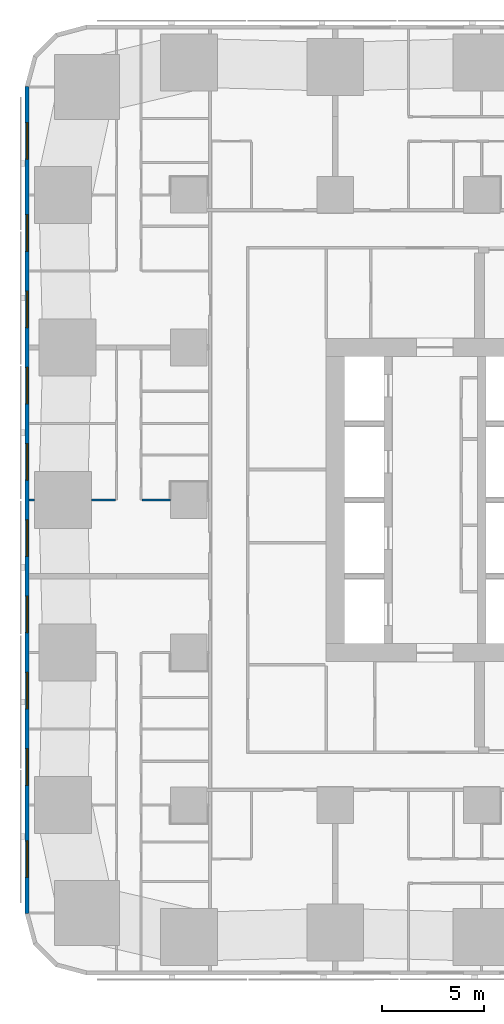
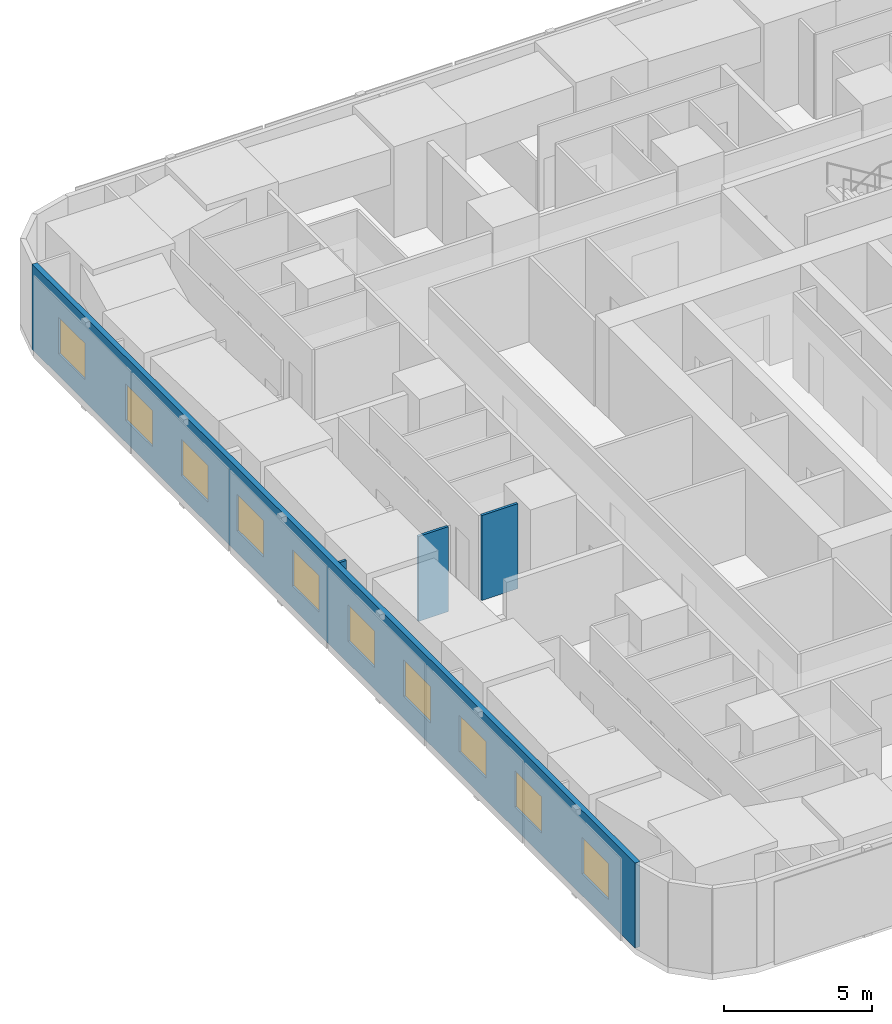
# One storey, part 4 of 18: 10 windows, 4 walls, 10 openings.
"""IFC4 building model written with IfcOpenShell, lengths in metres."""

from ifc_helpers import new_model, si_unit, direction, frame, frame_2d, origin, place, context, subcontext, project, spatial, rectangle, extrude, material, layer, layer_set, type_object, element, fill, save


model = new_model("IFC4")

# Units and contexts
model_context = context("Model", 3, precision=1e-05, world=origin(), true_north=direction((0.0, 1.0)))
body_context = subcontext(model_context, "Body", "Model", "MODEL_VIEW")
ifc_project = project(units=[si_unit("LENGTHUNIT", "METRE"), si_unit("AREAUNIT", "SQUARE_METRE"), si_unit("VOLUMEUNIT", "CUBIC_METRE"), si_unit("PLANEANGLEUNIT", "RADIAN"), si_unit("MASSUNIT", "GRAM", prefix="KILO")], contexts=[model_context])

# Site, building, storey
site_placement = place(None, origin())
site = spatial("IfcSite", under=ifc_project, at=site_placement, CompositionType="ELEMENT")
building_placement = place(site_placement, origin())
building = spatial("IfcBuilding", under=site, at=building_placement, Name="Sheger Commons Tower", CompositionType="ELEMENT")
storey_placement = place(building_placement, frame((0.0, 0.0, 38.75)))
storey = spatial("IfcBuildingStorey", under=building, at=storey_placement, Name="L09", CompositionType="ELEMENT", Elevation=38.75)

# Wall, openings, windows
ifc_material_1 = material(Name="Rendered concrete block masonry, dark grey", Category="masonry")
ifc_layer_1 = layer(ifc_material_1, 0.199951171875)
ifc_layer_set_1 = layer_set([ifc_layer_1], Name="FACADE WALL 200")
wall_type_1 = type_object("IfcWallType", Name="FACADE WALL 200", PredefinedType="SOLIDWALL", material=ifc_layer_set_1)
wall_1_placement = place(storey_placement, frame((-0.75, 42.8369140625, 0.0), z_axis=(0.0, 0.0, 1.0), x_axis=(0.0, -1.0, 0.0)))
wall_1 = element("IfcWall", 1, at=wall_1_placement, inside=storey, type_object=wall_type_1, Name="Facade wall L09", PredefinedType="SOLIDWALL", context=body_context, shape_type="SweptSolid", body=[
    extrude(rectangle(XDim=40.673828125, YDim=0.199951171875, at=frame_2d((20.3369140625, 0.0))), origin(), (0.0, 0.0, 1.0), 3.5),
])
opening_1_placement = place(wall_1_placement, frame((1.780029296875, 0.0, 0.89990234375)))
opening_1 = element("IfcOpeningElement", 2, at=opening_1_placement, cuts=wall_1, Name="Opening W2", PredefinedType="OPENING", context=body_context, shape_type="SweptSolid", body=[
    extrude(rectangle(XDim=1.800048828125, YDim=1.5, at=frame_2d((0.89990234375, 0.75))), frame((0.0, 0.10986328125, 0.0), z_axis=(0.0, -1.0, 0.0), x_axis=(1.0, 0.0, 0.0)), (0.0, 0.0, 1.0), 0.219970703125),
])
opening_2_placement = place(wall_1_placement, frame((6.31201171875, 0.0, 0.89990234375)))
opening_2 = element("IfcOpeningElement", 3, at=opening_2_placement, cuts=wall_1, Name="Opening W2", PredefinedType="OPENING", context=body_context, shape_type="SweptSolid", body=[
    extrude(rectangle(XDim=1.800048828125, YDim=1.5, at=frame_2d((0.89990234375, 0.75))), frame((0.0, 0.10986328125, 0.0), z_axis=(0.0, -1.0, 0.0), x_axis=(1.0, 0.0, 0.0)), (0.0, 0.0, 1.0), 0.219970703125),
])
opening_3_placement = place(wall_1_placement, frame((10.06201171875, 0.0, 0.89990234375)))
opening_3 = element("IfcOpeningElement", 4, at=opening_3_placement, cuts=wall_1, Name="Opening W2", PredefinedType="OPENING", context=body_context, shape_type="SweptSolid", body=[
    extrude(rectangle(XDim=1.800048828125, YDim=1.5, at=frame_2d((0.89990234375, 0.75))), frame((0.0, 0.10986328125, 0.0), z_axis=(0.0, -1.0, 0.0), x_axis=(1.0, 0.0, 0.0)), (0.0, 0.0, 1.0), 0.219970703125),
])
opening_4_placement = place(wall_1_placement, frame((13.81201171875, 0.0, 0.89990234375)))
opening_4 = element("IfcOpeningElement", 5, at=opening_4_placement, cuts=wall_1, Name="Opening W2", PredefinedType="OPENING", context=body_context, shape_type="SweptSolid", body=[
    extrude(rectangle(XDim=1.800048828125, YDim=1.5, at=frame_2d((0.89990234375, 0.75))), frame((0.0, 0.10986328125, 0.0), z_axis=(0.0, -1.0, 0.0), x_axis=(1.0, 0.0, 0.0)), (0.0, 0.0, 1.0), 0.219970703125),
])
opening_5_placement = place(wall_1_placement, frame((17.56201171875, 0.0, 0.89990234375)))
opening_5 = element("IfcOpeningElement", 6, at=opening_5_placement, cuts=wall_1, Name="Opening W2", PredefinedType="OPENING", context=body_context, shape_type="SweptSolid", body=[
    extrude(rectangle(XDim=1.800048828125, YDim=1.5, at=frame_2d((0.89990234375, 0.75))), frame((0.0, 0.10986328125, 0.0), z_axis=(0.0, -1.0, 0.0), x_axis=(1.0, 0.0, 0.0)), (0.0, 0.0, 1.0), 0.219970703125),
])
opening_6_placement = place(wall_1_placement, frame((21.31201171875, 0.0, 0.89990234375)))
opening_6 = element("IfcOpeningElement", 7, at=opening_6_placement, cuts=wall_1, Name="Opening W2", PredefinedType="OPENING", context=body_context, shape_type="SweptSolid", body=[
    extrude(rectangle(XDim=1.800048828125, YDim=1.5, at=frame_2d((0.89990234375, 0.75))), frame((0.0, 0.10986328125, 0.0), z_axis=(0.0, -1.0, 0.0), x_axis=(1.0, 0.0, 0.0)), (0.0, 0.0, 1.0), 0.219970703125),
])
opening_7_placement = place(wall_1_placement, frame((25.06201171875, 0.0, 0.89990234375)))
opening_7 = element("IfcOpeningElement", 8, at=opening_7_placement, cuts=wall_1, Name="Opening W2", PredefinedType="OPENING", context=body_context, shape_type="SweptSolid", body=[
    extrude(rectangle(XDim=1.800048828125, YDim=1.5, at=frame_2d((0.89990234375, 0.75))), frame((0.0, 0.10986328125, 0.0), z_axis=(0.0, -1.0, 0.0), x_axis=(1.0, 0.0, 0.0)), (0.0, 0.0, 1.0), 0.219970703125),
])
opening_8_placement = place(wall_1_placement, frame((28.81201171875, 0.0, 0.89990234375)))
opening_8 = element("IfcOpeningElement", 9, at=opening_8_placement, cuts=wall_1, Name="Opening W2", PredefinedType="OPENING", context=body_context, shape_type="SweptSolid", body=[
    extrude(rectangle(XDim=1.800048828125, YDim=1.5, at=frame_2d((0.89990234375, 0.75))), frame((0.0, 0.10986328125, 0.0), z_axis=(0.0, -1.0, 0.0), x_axis=(1.0, 0.0, 0.0)), (0.0, 0.0, 1.0), 0.219970703125),
])
opening_9_placement = place(wall_1_placement, frame((32.56201171875, 0.0, 0.89990234375)))
opening_9 = element("IfcOpeningElement", 10, at=opening_9_placement, cuts=wall_1, Name="Opening W2", PredefinedType="OPENING", context=body_context, shape_type="SweptSolid", body=[
    extrude(rectangle(XDim=1.800048828125, YDim=1.5, at=frame_2d((0.89990234375, 0.75))), frame((0.0, 0.10986328125, 0.0), z_axis=(0.0, -1.0, 0.0), x_axis=(1.0, 0.0, 0.0)), (0.0, 0.0, 1.0), 0.219970703125),
])
opening_10_placement = place(wall_1_placement, frame((37.093994140625, 0.0, 0.89990234375)))
opening_10 = element("IfcOpeningElement", 11, at=opening_10_placement, cuts=wall_1, Name="Opening W2", PredefinedType="OPENING", context=body_context, shape_type="SweptSolid", body=[
    extrude(rectangle(XDim=1.800048828125, YDim=1.5, at=frame_2d((0.89990234375, 0.75))), frame((0.0, 0.10986328125, 0.0), z_axis=(0.0, -1.0, 0.0), x_axis=(1.0, 0.0, 0.0)), (0.0, 0.0, 1.0), 0.219970703125),
])
ifc_material_2 = material(Name="Black aluminium frame, dark tinted double glazing", Category="aluminium")
window_type = type_object("IfcWindowType", Name="WINDOW W2 1800x1500", PartitioningType="SINGLE_PANEL", PredefinedType="WINDOW", material=ifc_material_2)
window_1_placement = place(opening_1_placement, origin())
window_1 = element("IfcWindow", 12, at=window_1_placement, inside=storey, type_object=window_type, Name="Window W2 1800X1500", OverallHeight=1.5, OverallWidth=1.800048828125, PartitioningType="SINGLE_PANEL", PredefinedType="WINDOW", context=body_context, shape_type="SweptSolid", body=[
    extrude(rectangle(XDim=1.800048828125, YDim=1.5, at=frame_2d((0.89990234375, 0.75))), frame((0.0, 0.030029296875, 0.0), z_axis=(0.0, -1.0, 0.0), x_axis=(1.0, 0.0, 0.0)), (0.0, 0.0, 1.0), 0.06005859375),
])
fill(opening_1, window_1)
window_2_placement = place(opening_2_placement, origin())
window_2 = element("IfcWindow", 13, at=window_2_placement, inside=storey, type_object=window_type, Name="Window W2 1800X1500", OverallHeight=1.5, OverallWidth=1.800048828125, PartitioningType="SINGLE_PANEL", PredefinedType="WINDOW", context=body_context, shape_type="SweptSolid", body=[
    extrude(rectangle(XDim=1.800048828125, YDim=1.5, at=frame_2d((0.89990234375, 0.75))), frame((0.0, 0.030029296875, 0.0), z_axis=(0.0, -1.0, 0.0), x_axis=(1.0, 0.0, 0.0)), (0.0, 0.0, 1.0), 0.06005859375),
])
fill(opening_2, window_2)
window_3_placement = place(opening_3_placement, origin())
window_3 = element("IfcWindow", 14, at=window_3_placement, inside=storey, type_object=window_type, Name="Window W2 1800X1500", OverallHeight=1.5, OverallWidth=1.800048828125, PartitioningType="SINGLE_PANEL", PredefinedType="WINDOW", context=body_context, shape_type="SweptSolid", body=[
    extrude(rectangle(XDim=1.800048828125, YDim=1.5, at=frame_2d((0.89990234375, 0.75))), frame((0.0, 0.030029296875, 0.0), z_axis=(0.0, -1.0, 0.0), x_axis=(1.0, 0.0, 0.0)), (0.0, 0.0, 1.0), 0.06005859375),
])
fill(opening_3, window_3)
window_4_placement = place(opening_4_placement, origin())
window_4 = element("IfcWindow", 15, at=window_4_placement, inside=storey, type_object=window_type, Name="Window W2 1800X1500", OverallHeight=1.5, OverallWidth=1.800048828125, PartitioningType="SINGLE_PANEL", PredefinedType="WINDOW", context=body_context, shape_type="SweptSolid", body=[
    extrude(rectangle(XDim=1.800048828125, YDim=1.5, at=frame_2d((0.89990234375, 0.75))), frame((0.0, 0.030029296875, 0.0), z_axis=(0.0, -1.0, 0.0), x_axis=(1.0, 0.0, 0.0)), (0.0, 0.0, 1.0), 0.06005859375),
])
fill(opening_4, window_4)
window_5_placement = place(opening_5_placement, origin())
window_5 = element("IfcWindow", 16, at=window_5_placement, inside=storey, type_object=window_type, Name="Window W2 1800X1500", OverallHeight=1.5, OverallWidth=1.800048828125, PartitioningType="SINGLE_PANEL", PredefinedType="WINDOW", context=body_context, shape_type="SweptSolid", body=[
    extrude(rectangle(XDim=1.800048828125, YDim=1.5, at=frame_2d((0.89990234375, 0.75))), frame((0.0, 0.030029296875, 0.0), z_axis=(0.0, -1.0, 0.0), x_axis=(1.0, 0.0, 0.0)), (0.0, 0.0, 1.0), 0.06005859375),
])
fill(opening_5, window_5)
window_6_placement = place(opening_6_placement, origin())
window_6 = element("IfcWindow", 17, at=window_6_placement, inside=storey, type_object=window_type, Name="Window W2 1800X1500", OverallHeight=1.5, OverallWidth=1.800048828125, PartitioningType="SINGLE_PANEL", PredefinedType="WINDOW", context=body_context, shape_type="SweptSolid", body=[
    extrude(rectangle(XDim=1.800048828125, YDim=1.5, at=frame_2d((0.89990234375, 0.75))), frame((0.0, 0.030029296875, 0.0), z_axis=(0.0, -1.0, 0.0), x_axis=(1.0, 0.0, 0.0)), (0.0, 0.0, 1.0), 0.06005859375),
])
fill(opening_6, window_6)
window_7_placement = place(opening_7_placement, origin())
window_7 = element("IfcWindow", 18, at=window_7_placement, inside=storey, type_object=window_type, Name="Window W2 1800X1500", OverallHeight=1.5, OverallWidth=1.800048828125, PartitioningType="SINGLE_PANEL", PredefinedType="WINDOW", context=body_context, shape_type="SweptSolid", body=[
    extrude(rectangle(XDim=1.800048828125, YDim=1.5, at=frame_2d((0.89990234375, 0.75))), frame((0.0, 0.030029296875, 0.0), z_axis=(0.0, -1.0, 0.0), x_axis=(1.0, 0.0, 0.0)), (0.0, 0.0, 1.0), 0.06005859375),
])
fill(opening_7, window_7)
window_8_placement = place(opening_8_placement, origin())
window_8 = element("IfcWindow", 19, at=window_8_placement, inside=storey, type_object=window_type, Name="Window W2 1800X1500", OverallHeight=1.5, OverallWidth=1.800048828125, PartitioningType="SINGLE_PANEL", PredefinedType="WINDOW", context=body_context, shape_type="SweptSolid", body=[
    extrude(rectangle(XDim=1.800048828125, YDim=1.5, at=frame_2d((0.89990234375, 0.75))), frame((0.0, 0.030029296875, 0.0), z_axis=(0.0, -1.0, 0.0), x_axis=(1.0, 0.0, 0.0)), (0.0, 0.0, 1.0), 0.06005859375),
])
fill(opening_8, window_8)
window_9_placement = place(opening_9_placement, origin())
window_9 = element("IfcWindow", 20, at=window_9_placement, inside=storey, type_object=window_type, Name="Window W2 1800X1500", OverallHeight=1.5, OverallWidth=1.800048828125, PartitioningType="SINGLE_PANEL", PredefinedType="WINDOW", context=body_context, shape_type="SweptSolid", body=[
    extrude(rectangle(XDim=1.800048828125, YDim=1.5, at=frame_2d((0.89990234375, 0.75))), frame((0.0, 0.030029296875, 0.0), z_axis=(0.0, -1.0, 0.0), x_axis=(1.0, 0.0, 0.0)), (0.0, 0.0, 1.0), 0.06005859375),
])
fill(opening_9, window_9)
window_10_placement = place(opening_10_placement, origin())
window_10 = element("IfcWindow", 21, at=window_10_placement, inside=storey, type_object=window_type, Name="Window W2 1800X1500", OverallHeight=1.5, OverallWidth=1.800048828125, PartitioningType="SINGLE_PANEL", PredefinedType="WINDOW", context=body_context, shape_type="SweptSolid", body=[
    extrude(rectangle(XDim=1.800048828125, YDim=1.5, at=frame_2d((0.89990234375, 0.75))), frame((0.0, 0.030029296875, 0.0), z_axis=(0.0, -1.0, 0.0), x_axis=(1.0, 0.0, 0.0)), (0.0, 0.0, 1.0), 0.06005859375),
])
fill(opening_10, window_10)

# Walls
ifc_material_3 = material(Name="Gypsum board on steel studs", Category="steel")
ifc_layer_2 = layer(ifc_material_3, 0.10009765625)
ifc_layer_set_2 = layer_set([ifc_layer_2], Name="PARTITION 100")
wall_type_2 = type_object("IfcWallType", Name="PARTITION 100", PredefinedType="PARTITIONING", material=ifc_layer_set_2)
wall_2_placement = place(storey_placement, frame((-0.64990234375, 22.5, 0.0), z_axis=(0.0, 0.0, 1.0), x_axis=(1.0, 0.0, 0.0)))
element("IfcWall", 22, at=wall_2_placement, inside=storey, type_object=wall_type_2, Name="Partition L09", PredefinedType="PARTITIONING", context=body_context, shape_type="SweptSolid", body=[
    extrude(rectangle(XDim=0.27392578125, YDim=0.10009765625, at=frame_2d((0.136962890625, 0.0))), origin(), (0.0, 0.0, 1.0), 3.5),
])
wall_3_placement = place(storey_placement, frame((2.426025390625, 22.5, 0.0), z_axis=(0.0, 0.0, 1.0), x_axis=(1.0, 0.0, 0.0)))
element("IfcWall", 23, at=wall_3_placement, inside=storey, type_object=wall_type_2, Name="Partition L09", PredefinedType="PARTITIONING", context=body_context, shape_type="SweptSolid", body=[
    extrude(rectangle(XDim=1.174072265625, YDim=0.10009765625, at=frame_2d((0.5869140625, 0.0))), origin(), (0.0, 0.0, 1.0), 3.5),
])
wall_4_placement = place(storey_placement, frame((4.89990234375, 22.5, 0.0), z_axis=(0.0, 0.0, 1.0), x_axis=(1.0, 0.0, 0.0)))
element("IfcWall", 24, at=wall_4_placement, inside=storey, type_object=wall_type_2, Name="Partition L09", PredefinedType="PARTITIONING", context=body_context, shape_type="SweptSolid", body=[
    extrude(rectangle(XDim=1.399169921875, YDim=0.10009765625, at=frame_2d((0.69970703125, 0.0))), origin(), (0.0, 0.0, 1.0), 3.5),
])

save(model, "model.ifc")
